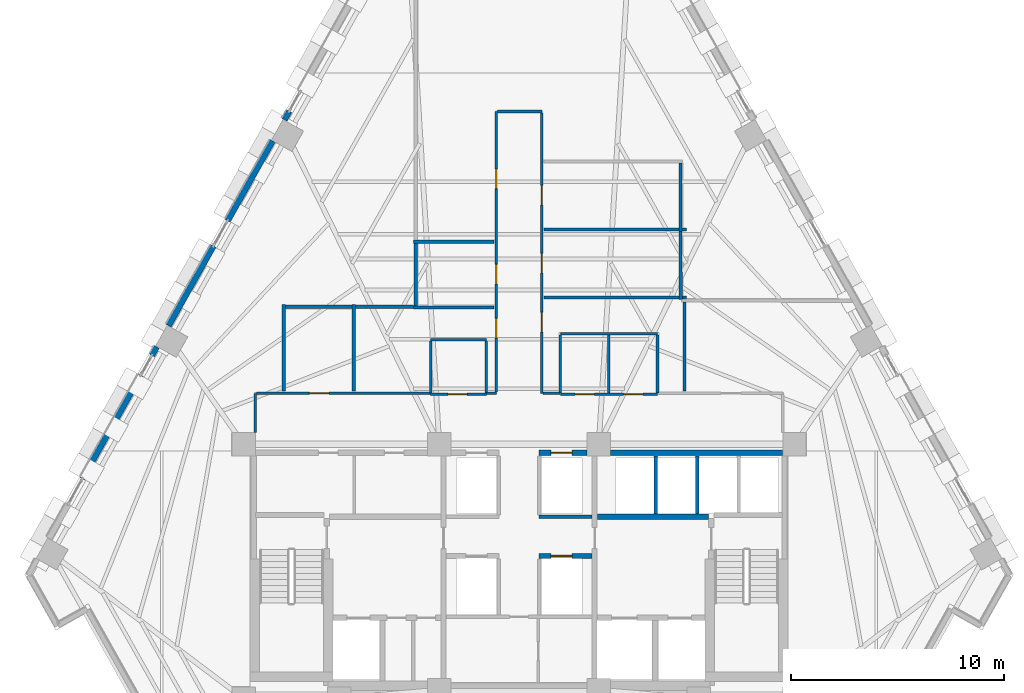
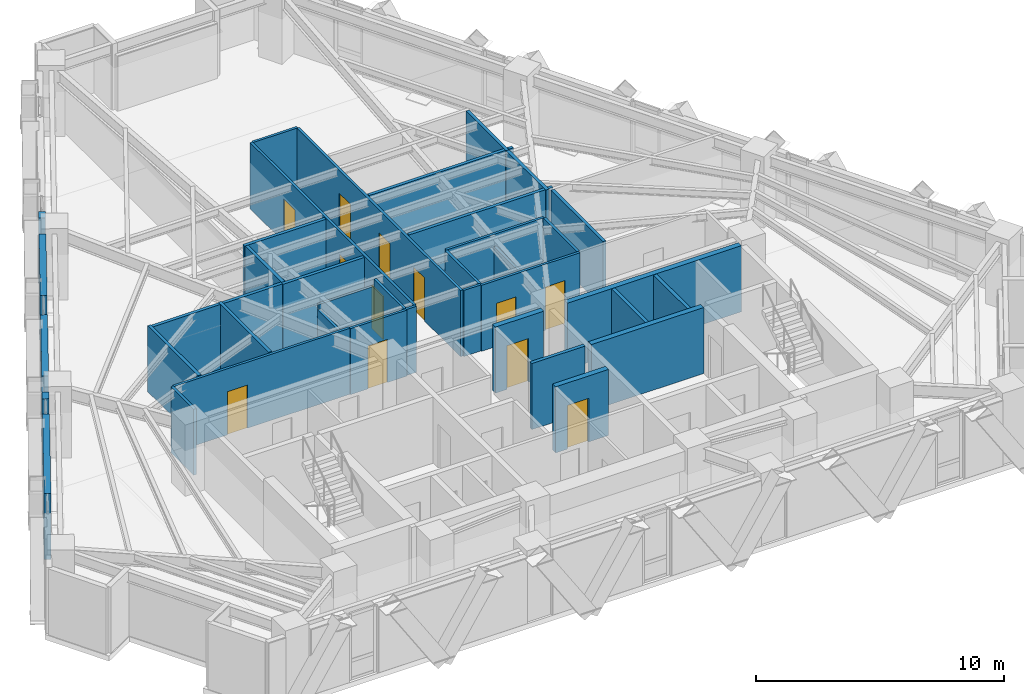
# One storey, part 8 of 13: 42 walls, 12 doors, 12 openings.
"""IFC4 building model written with IfcOpenShell, lengths in metres."""

from ifc_helpers import new_model, si_unit, direction, frame, frame_2d, origin, place, context, subcontext, project, spatial, rectangle, extrude, material, layer, layer_set, type_object, element, fill, save


model = new_model("IFC4")

# Units and contexts
model_context = context("Model", 3, precision=1e-05, world=origin(), true_north=direction((0.0, 1.0)))
body_context = subcontext(model_context, "Body", "Model", "MODEL_VIEW")
ifc_project = project(units=[si_unit("LENGTHUNIT", "METRE"), si_unit("AREAUNIT", "SQUARE_METRE"), si_unit("VOLUMEUNIT", "CUBIC_METRE"), si_unit("PLANEANGLEUNIT", "RADIAN"), si_unit("MASSUNIT", "GRAM", prefix="KILO")], contexts=[model_context])

# Site, building, storey
site_placement = place(None, origin())
site = spatial("IfcSite", under=ifc_project, at=site_placement, CompositionType="ELEMENT")
building_placement = place(site_placement, origin())
building = spatial("IfcBuilding", under=site, at=building_placement, Name="Quenlor Broadcast Tower", CompositionType="ELEMENT")
storey_placement = place(building_placement, frame((0.0, 0.0, 109.0)))
storey = spatial("IfcBuildingStorey", under=building, at=storey_placement, Name="L29", CompositionType="ELEMENT", Elevation=109.0)

# Walls
ifc_material_1 = material(Name="Acoustic Double Stud Gypsum Partition", Category="other")
ifc_layer_1 = layer(ifc_material_1, 0.14990234375)
ifc_layer_set_1 = layer_set([ifc_layer_1], Name="Broadcast Studio Acoustic Partition 150")
wall_type_1 = type_object("IfcWallType", Name="Broadcast Studio Acoustic Partition 150", PredefinedType="PARTITIONING", material=ifc_layer_set_1)
wall_1_placement = place(storey_placement, frame((7.58984375, 5.199951171875, 0.0), z_axis=(0.0, 0.0, 1.0), x_axis=(0.001136190753, 0.999999354535, 0.0)))
element("IfcWall", 1, at=wall_1_placement, inside=storey, type_object=wall_type_1, Name="L29 Interior Wall PW-DV-02", PredefinedType="PARTITIONING", context=body_context, shape_type="SweptSolid", body=[
    extrude(rectangle(XDim=3.22314453125, YDim=0.14990234375, at=frame_2d((1.611572265625, 0.0))), origin(), (0.0, 0.0, 1.0), 3.25),
])
wall_2_placement = place(storey_placement, frame((7.60498046875, 2.0, 0.0), z_axis=(0.0, 0.0, 1.0), x_axis=(-0.004427775513, 0.999990197354, 0.0)))
element("IfcWall", 2, at=wall_2_placement, inside=storey, type_object=wall_type_1, Name="L29 Interior Wall PW-DV-03", PredefinedType="PARTITIONING", context=body_context, shape_type="SweptSolid", body=[
    extrude(rectangle(XDim=3.197998046875, YDim=0.14990234375, at=frame_2d((1.59912109375, 0.0))), origin(), (0.0, 0.0, 1.0), 3.25),
])
wall_3_placement = place(storey_placement, frame((-1.179931640625, 4.72998046875, 0.0), z_axis=(0.0, 0.0, 1.0), x_axis=(-1.0, 0.0, 0.0)))
element("IfcWall", 3, at=wall_3_placement, inside=storey, type_object=wall_type_1, Name="L29 Interior Wall PW-DV-04", PredefinedType="PARTITIONING", context=body_context, shape_type="SweptSolid", body=[
    extrude(rectangle(XDim=3.780029296875, YDim=0.14990234375, at=frame_2d((1.89013671875, 0.0))), origin(), (0.0, 0.0, 1.0), 3.25),
])
wall_4_placement = place(storey_placement, frame((7.8798828125, 5.300048828125, 0.0), z_axis=(0.0, 0.0, 1.0), x_axis=(-1.0, 0.0, 0.0)))
element("IfcWall", 4, at=wall_4_placement, inside=storey, type_object=wall_type_1, Name="L29 Interior Wall PW-DV-07", PredefinedType="PARTITIONING", context=body_context, shape_type="SweptSolid", body=[
    extrude(rectangle(XDim=0.212890625, YDim=0.14990234375, at=frame_2d((0.1064453125, 0.0))), origin(), (0.0, 0.0, 1.0), 3.25),
])
wall_5_placement = place(storey_placement, frame((7.512939453125, 5.300048828125, 0.0), z_axis=(0.0, 0.0, 1.0), x_axis=(-1.0, 0.0, 0.0)))
element("IfcWall", 5, at=wall_5_placement, inside=storey, type_object=wall_type_1, Name="L29 Interior Wall PW-DV-07S2", PredefinedType="PARTITIONING", context=body_context, shape_type="SweptSolid", body=[
    extrude(rectangle(XDim=6.3330078125, YDim=0.14990234375, at=frame_2d((3.16650390625, 0.0))), origin(), (0.0, 0.0, 1.0), 3.25),
])
wall_6_placement = place(storey_placement, frame((7.8798828125, 2.10009765625, 0.0), z_axis=(0.0, 0.0, 1.0), x_axis=(-1.0, 0.0, 0.0)))
element("IfcWall", 6, at=wall_6_placement, inside=storey, type_object=wall_type_1, Name="L29 Interior Wall PW-DV-08", PredefinedType="PARTITIONING", context=body_context, shape_type="SweptSolid", body=[
    extrude(rectangle(XDim=0.1982421875, YDim=0.14990234375, at=frame_2d((0.09912109375, 0.0))), origin(), (0.0, 0.0, 1.0), 3.25),
])
wall_7_placement = place(storey_placement, frame((7.527587890625, 2.10009765625, 0.0), z_axis=(0.0, 0.0, 1.0), x_axis=(-1.0, 0.0, 0.0)))
element("IfcWall", 7, at=wall_7_placement, inside=storey, type_object=wall_type_1, Name="L29 Interior Wall PW-DV-08S2", PredefinedType="PARTITIONING", context=body_context, shape_type="SweptSolid", body=[
    extrude(rectangle(XDim=6.34765625, YDim=0.14990234375, at=frame_2d((3.173828125, 0.0))), origin(), (0.0, 0.0, 1.0), 3.25),
])
wall_8_placement = place(storey_placement, frame((-1.179931640625, 1.6298828125, 0.0), z_axis=(0.0, 0.0, 1.0), x_axis=(-1.0, 0.0, 0.0)))
element("IfcWall", 8, at=wall_8_placement, inside=storey, type_object=wall_type_1, Name="L29 Interior Wall PW-DV-09", PredefinedType="PARTITIONING", context=body_context, shape_type="SweptSolid", body=[
    extrude(rectangle(XDim=3.780029296875, YDim=0.14990234375, at=frame_2d((1.89013671875, 0.0))), origin(), (0.0, 0.0, 1.0), 3.25),
])
wall_9_placement = place(storey_placement, frame((-4.860107421875, 1.70703125, 0.0), z_axis=(0.0, 0.0, 1.0), x_axis=(0.0, 1.0, 0.0)))
element("IfcWall", 9, at=wall_9_placement, inside=storey, type_object=wall_type_1, Name="L29 Interior Wall PW-DV-10", PredefinedType="PARTITIONING", context=body_context, shape_type="SweptSolid", body=[
    extrude(rectangle(XDim=2.946044921875, YDim=0.14990234375, at=frame_2d((1.47314453125, 0.0))), origin(), (0.0, 0.0, 1.0), 3.25),
])
wall_10_placement = place(storey_placement, frame((7.780029296875, 1.887451171875, 0.0), z_axis=(0.0, 0.0, 1.0), x_axis=(0.0, -1.0, 0.0)))
element("IfcWall", 10, at=wall_10_placement, inside=storey, type_object=wall_type_1, Name="L29 Interior Wall PW-DV-11", PredefinedType="PARTITIONING", context=body_context, shape_type="SweptSolid", body=[
    extrude(rectangle(XDim=4.177490234375, YDim=0.14990234375, at=frame_2d((2.0888671875, 0.0))), origin(), (0.0, 0.0, 1.0), 3.25),
])
wall_11_placement = place(storey_placement, frame((-7.774658203125, -2.2900390625, 0.0), z_axis=(0.0, 0.0, 1.0), x_axis=(0.0, 1.0, 0.0)))
element("IfcWall", 11, at=wall_11_placement, inside=storey, type_object=wall_type_1, Name="L29 Interior Wall PW-DV-12", PredefinedType="PARTITIONING", context=body_context, shape_type="SweptSolid", body=[
    extrude(rectangle(XDim=4.06005859375, YDim=0.14990234375, at=frame_2d((2.030029296875, 0.0))), origin(), (0.0, 0.0, 1.0), 3.25),
])
wall_12_placement = place(storey_placement, frame((-7.69775390625, 1.669921875, 0.0), z_axis=(0.0, 0.0, 1.0), x_axis=(1.0, 0.0, 0.0)))
element("IfcWall", 12, at=wall_12_placement, inside=storey, type_object=wall_type_1, Name="L29 Interior Wall PW-DV-13", PredefinedType="PARTITIONING", context=body_context, shape_type="SweptSolid", body=[
    extrude(rectangle(XDim=2.73583984375, YDim=0.14990234375, at=frame_2d((1.367919921875, 0.0))), origin(), (0.0, 0.0, 1.0), 3.25),
])
wall_13_placement = place(storey_placement, frame((-11.06005859375, -2.2900390625, 0.0), z_axis=(0.0, 0.0, 1.0), x_axis=(0.0, 1.0, 0.0)))
element("IfcWall", 13, at=wall_13_placement, inside=storey, type_object=wall_type_1, Name="L29 Interior Wall PW-DV-14", PredefinedType="PARTITIONING", context=body_context, shape_type="SweptSolid", body=[
    extrude(rectangle(XDim=4.06005859375, YDim=0.14990234375, at=frame_2d((2.030029296875, 0.0))), origin(), (0.0, 0.0, 1.0), 3.25),
])
wall_14_placement = place(storey_placement, frame((-10.98291015625, 1.669921875, 0.0), z_axis=(0.0, 0.0, 1.0), x_axis=(1.0, 0.0, 0.0)))
element("IfcWall", 14, at=wall_14_placement, inside=storey, type_object=wall_type_1, Name="L29 Interior Wall PW-DV-15", PredefinedType="PARTITIONING", context=body_context, shape_type="SweptSolid", body=[
    extrude(rectangle(XDim=3.131103515625, YDim=0.14990234375, at=frame_2d((1.5654296875, 0.0))), origin(), (0.0, 0.0, 1.0), 3.25),
])
ifc_material_2 = material(Name="Concrete C40/50", Category="concrete")
ifc_layer_2 = layer(ifc_material_2, 0.25)
ifc_layer_set_2 = layer_set([ifc_layer_2], Name="Fire Rated Concrete C40/50 Core Wall 250")
wall_type_2 = type_object("IfcWallType", Name="Fire Rated Concrete C40/50 Core Wall 250", PredefinedType="PARTITIONING", material=ifc_layer_set_2)
wall_15_placement = place(storey_placement, frame((3.679931640625, -8.199951171875, 0.0), z_axis=(0.0, 0.0, 1.0), x_axis=(1.0, 0.0, 0.0)))
element("IfcWall", 15, at=wall_15_placement, inside=storey, type_object=wall_type_2, Name="L29 Interior Wall CW-FFE-N", PredefinedType="PARTITIONING", context=body_context, shape_type="SweptSolid", body=[
    extrude(rectangle(XDim=5.239990234375, YDim=0.25, at=frame_2d((2.6201171875, 0.0))), origin(), (0.0, 0.0, 1.0), 3.25),
])
wall_16_placement = place(storey_placement, frame((4.302001953125, -5.199951171875, 0.0), z_axis=(0.0, 0.0, 1.0), x_axis=(1.0, 0.0, 0.0)))
element("IfcWall", 16, at=wall_16_placement, inside=storey, type_object=wall_type_2, Name="L29 Interior Wall CW-N-E", PredefinedType="PARTITIONING", context=body_context, shape_type="SweptSolid", body=[
    extrude(rectangle(XDim=8.095947265625, YDim=0.25, at=frame_2d((4.0478515625, 0.0))), origin(), (0.0, 0.0, 1.0), 3.25),
])

# Wall, opening, door
wall_17_placement = place(storey_placement, frame((0.949951171875, -5.199951171875, 0.0), z_axis=(0.0, 0.0, 1.0), x_axis=(1.0, 0.0, 0.0)))
wall_17 = element("IfcWall", 17, at=wall_17_placement, inside=storey, type_object=wall_type_2, Name="L29 Interior Wall CW-N-M2", PredefinedType="PARTITIONING", context=body_context, shape_type="SweptSolid", body=[
    extrude(rectangle(XDim=2.248046875, YDim=0.25, at=frame_2d((1.1240234375, 0.0))), origin(), (0.0, 0.0, 1.0), 3.25),
])
opening_1_placement = place(wall_17_placement, frame((0.550048828125, 0.0, 0.0)))
opening_1 = element("IfcOpeningElement", 18, at=opening_1_placement, cuts=wall_17, Name="Opening LD-PL-M2", PredefinedType="OPENING", context=body_context, shape_type="SweptSolid", body=[
    extrude(rectangle(XDim=1.0, YDim=2.14990234375, at=frame_2d((0.5, 1.074951171875))), frame((0.0, 0.135009765625, 0.0), z_axis=(0.0, -1.0, 0.0), x_axis=(1.0, 0.0, 0.0)), (0.0, 0.0, 1.0), 0.27001953125),
])
ifc_material_3 = material(Name="Brushed Stainless Steel", Category="steel")
door_type_1 = type_object("IfcDoorType", Name="Passenger Lift Sliding Landing Door 1000x2150", OperationType="NOTDEFINED", PredefinedType="DOOR", material=ifc_material_3)
door_1_placement = place(opening_1_placement, origin())
door_1 = element("IfcDoor", 19, at=door_1_placement, inside=storey, type_object=door_type_1, Name="L29 Door LD-PL-M2", OperationType="SLIDING_TO_RIGHT", OverallHeight=2.14990234375, OverallWidth=1.0, PredefinedType="DOOR", context=body_context, shape_type="SweptSolid", body=[
    extrude(rectangle(XDim=1.0, YDim=2.14990234375, at=frame_2d((0.5, 1.074951171875))), frame((0.0, 0.02490234375, 0.0), z_axis=(0.0, -1.0, 0.0), x_axis=(1.0, 0.0, 0.0)), (0.0, 0.0, 1.0), 0.050048828125),
])
fill(opening_1, door_1)

wall_18_placement = place(storey_placement, frame((0.949951171875, -10.050048828125, 0.0), z_axis=(0.0, 0.0, 1.0), x_axis=(1.0, 0.0, 0.0)))
wall_18 = element("IfcWall", 20, at=wall_18_placement, inside=storey, type_object=wall_type_2, Name="L29 Interior Wall CW-MS-N2", PredefinedType="PARTITIONING", context=body_context, shape_type="SweptSolid", body=[
    extrude(rectangle(XDim=2.469970703125, YDim=0.25, at=frame_2d((1.23486328125, 0.0))), origin(), (0.0, 0.0, 1.0), 3.25),
])
opening_2_placement = place(wall_18_placement, frame((0.550048828125, 0.0, 0.0)))
opening_2 = element("IfcOpeningElement", 21, at=opening_2_placement, cuts=wall_18, Name="Opening LD-PL-M4", PredefinedType="OPENING", context=body_context, shape_type="SweptSolid", body=[
    extrude(rectangle(XDim=1.0, YDim=2.14990234375, at=frame_2d((0.5, 1.074951171875))), frame((0.0, 0.135009765625, 0.0), z_axis=(0.0, -1.0, 0.0), x_axis=(1.0, 0.0, 0.0)), (0.0, 0.0, 1.0), 0.27001953125),
])
door_2_placement = place(opening_2_placement, origin())
door_2 = element("IfcDoor", 22, at=door_2_placement, inside=storey, type_object=door_type_1, Name="L29 Door LD-PL-M4", OperationType="SLIDING_TO_RIGHT", OverallHeight=2.14990234375, OverallWidth=1.0, PredefinedType="DOOR", context=body_context, shape_type="SweptSolid", body=[
    extrude(rectangle(XDim=1.0, YDim=2.14990234375, at=frame_2d((0.5, 1.074951171875))), frame((0.0, 0.02490234375, 0.0), z_axis=(0.0, -1.0, 0.0), x_axis=(1.0, 0.0, 0.0)), (0.0, 0.0, 1.0), 0.050048828125),
])
fill(opening_2, door_2)

# Walls
ifc_material_4 = material(Name="Gypsum Fireboard Partition", Category="other")
ifc_layer_3 = layer(ifc_material_4, 0.159912109375)
ifc_layer_set_3 = layer_set([ifc_layer_3], Name="Fire Rated Shaft and Corridor Partition 160")
wall_type_3 = type_object("IfcWallType", Name="Fire Rated Shaft and Corridor Partition 160", PredefinedType="PARTITIONING", material=ifc_layer_set_3)
for number, where, z_axis, x_axis, name in (
    (23, (6.425048828125, -8.072998046875, 0.0), (0.0, 0.0, 1.0), (0.0, 1.0, 0.0), "L29 Interior Wall CW-PLH-D1"),
    (24, (8.375, -8.072998046875, 0.0), (0.0, 0.0, 1.0), (0.0, 1.0, 0.0), "L29 Interior Wall CW-PLH-D2"),
):
    element("IfcWall", number, at=place(storey_placement, frame(where, z_axis=z_axis, x_axis=x_axis)), inside=storey, type_object=wall_type_3, Name=name, PredefinedType="PARTITIONING", context=body_context, shape_type="SweptSolid", body=[
        extrude(rectangle(XDim=2.73291015625, YDim=0.159912109375, at=frame_2d((1.366455078125, 0.0))), origin(), (0.0, 0.0, 1.0), 3.25),
    ])
wall_19_placement = place(storey_placement, frame((0.949951171875, -8.199951171875, 0.0), z_axis=(0.0, 0.0, 1.0), x_axis=(1.0, 0.0, 0.0)))
element("IfcWall", 25, at=wall_19_placement, inside=storey, type_object=wall_type_3, Name="L29 Interior Wall CW-M-BACK2", PredefinedType="PARTITIONING", context=body_context, shape_type="SweptSolid", body=[
    extrude(rectangle(XDim=2.469970703125, YDim=0.159912109375, at=frame_2d((1.23486328125, 0.0))), origin(), (0.0, 0.0, 1.0), 3.25),
])

# Wall, opening, door
ifc_material_5 = material(Name="Gypsum Plasterboard Partition", Category="other")
ifc_layer_4 = layer(ifc_material_5, 0.1201171875)
ifc_layer_set_4 = layer_set([ifc_layer_4], Name="Standard Office Partition 120")
wall_type_4 = type_object("IfcWallType", Name="Standard Office Partition 120", PredefinedType="PARTITIONING", material=ifc_layer_set_4)
wall_20_placement = place(storey_placement, frame((-4.159912109375, -2.43994140625, 0.0), z_axis=(0.0, 0.0, 1.0), x_axis=(1.0, 0.0, 0.0)))
wall_20 = element("IfcWall", 26, at=wall_20_placement, inside=storey, type_object=wall_type_4, Name="L29 Interior Wall PW-AWC-S", PredefinedType="PARTITIONING", context=body_context, shape_type="SweptSolid", body=[
    extrude(rectangle(XDim=2.619873046875, YDim=0.1201171875, at=frame_2d((1.31005859375, 0.0))), origin(), (0.0, 0.0, 1.0), 3.25),
])
opening_3_placement = place(wall_20_placement, frame((0.820068359375, 0.0, 0.0)))
opening_3 = element("IfcOpeningElement", 27, at=opening_3_placement, cuts=wall_20, Name="Opening ID-3", PredefinedType="OPENING", context=body_context, shape_type="SweptSolid", body=[
    extrude(rectangle(XDim=0.89990234375, YDim=2.1201171875, at=frame_2d((0.449951171875, 1.06005859375))), frame((0.0, 0.070068359375, 0.0), z_axis=(0.0, -1.0, 0.0), x_axis=(1.0, 0.0, 0.0)), (0.0, 0.0, 1.0), 0.14013671875),
])
ifc_material_6 = material(Name="Moisture Resistant Timber Oak", Category="wood")
door_type_2 = type_object("IfcDoorType", Name="Washroom Privacy Door 900x2120", OperationType="NOTDEFINED", PredefinedType="DOOR", material=ifc_material_6)
door_3_placement = place(opening_3_placement, origin())
door_3 = element("IfcDoor", 28, at=door_3_placement, inside=storey, type_object=door_type_2, Name="L29 Door DR-AWC", OperationType="SINGLE_SWING_LEFT", OverallHeight=2.1201171875, OverallWidth=0.89990234375, PredefinedType="DOOR", context=body_context, shape_type="SweptSolid", body=[
    extrude(rectangle(XDim=0.89990234375, YDim=2.1201171875, at=frame_2d((0.449951171875, 1.06005859375))), frame((0.0, 0.02490234375, 0.0), z_axis=(0.0, -1.0, 0.0), x_axis=(1.0, 0.0, 0.0)), (0.0, 0.0, 1.0), 0.050048828125),
])
fill(opening_3, door_3)

# Walls
wall_21_placement = place(storey_placement, frame((-4.159912109375, 0.110107421875, 0.0), z_axis=(0.0, 0.0, 1.0), x_axis=(1.0, 0.0, 0.0)))
element("IfcWall", 29, at=wall_21_placement, inside=storey, type_object=wall_type_4, Name="L29 Interior Wall PW-AWC-N", PredefinedType="PARTITIONING", context=body_context, shape_type="SweptSolid", body=[
    extrude(rectangle(XDim=2.619873046875, YDim=0.1201171875, at=frame_2d((1.31005859375, 0.0))), origin(), (0.0, 0.0, 1.0), 2.891357421875),
])
wall_22_placement = place(storey_placement, frame((-4.159912109375, -2.3779296875, 0.0), z_axis=(0.0, 0.0, 1.0), x_axis=(0.0, 1.0, 0.0)))
element("IfcWall", 30, at=wall_22_placement, inside=storey, type_object=wall_type_4, Name="L29 Interior Wall PW-AWC-W", PredefinedType="PARTITIONING", context=body_context, shape_type="SweptSolid", body=[
    extrude(rectangle(XDim=2.426025390625, YDim=0.1201171875, at=frame_2d((1.212890625, 0.0))), origin(), (0.0, 0.0, 1.0), 2.64794921875),
])
wall_23_placement = place(storey_placement, frame((-1.5400390625, -2.3779296875, 0.0), z_axis=(0.0, 0.0, 1.0), x_axis=(0.0, 1.0, 0.0)))
element("IfcWall", 31, at=wall_23_placement, inside=storey, type_object=wall_type_4, Name="L29 Interior Wall PW-AWC-E", PredefinedType="PARTITIONING", context=body_context, shape_type="SweptSolid", body=[
    extrude(rectangle(XDim=2.426025390625, YDim=0.1201171875, at=frame_2d((1.212890625, 0.0))), origin(), (0.0, 0.0, 1.0), 3.25),
])

# Wall, openings, doors
wall_24_placement = place(storey_placement, frame((1.93994140625, -2.43994140625, 0.0), z_axis=(0.0, 0.0, 1.0), x_axis=(1.0, 0.0, 0.0)))
wall_24 = element("IfcWall", 32, at=wall_24_placement, inside=storey, type_object=wall_type_4, Name="L29 Interior Wall PW-WC-S", PredefinedType="PARTITIONING", context=body_context, shape_type="SweptSolid", body=[
    extrude(rectangle(XDim=4.570068359375, YDim=0.1201171875, at=frame_2d((2.28515625, 0.0))), origin(), (0.0, 0.0, 1.0), 3.25),
])
opening_4_placement = place(wall_24_placement, frame((0.699951171875, 0.0, 0.0)))
opening_4 = element("IfcOpeningElement", 33, at=opening_4_placement, cuts=wall_24, Name="Opening ID-3", PredefinedType="OPENING", context=body_context, shape_type="SweptSolid", body=[
    extrude(rectangle(XDim=0.89990234375, YDim=2.1201171875, at=frame_2d((0.449951171875, 1.06005859375))), frame((0.0, 0.070068359375, 0.0), z_axis=(0.0, -1.0, 0.0), x_axis=(1.0, 0.0, 0.0)), (0.0, 0.0, 1.0), 0.14013671875),
])
opening_5_placement = place(wall_24_placement, frame((2.97998046875, 0.0, 0.0)))
opening_5 = element("IfcOpeningElement", 34, at=opening_5_placement, cuts=wall_24, Name="Opening ID-3", PredefinedType="OPENING", context=body_context, shape_type="SweptSolid", body=[
    extrude(rectangle(XDim=0.89990234375, YDim=2.1201171875, at=frame_2d((0.449951171875, 1.06005859375))), frame((0.0, 0.070068359375, 0.0), z_axis=(0.0, -1.0, 0.0), x_axis=(1.0, 0.0, 0.0)), (0.0, 0.0, 1.0), 0.14013671875),
])
door_4_placement = place(opening_4_placement, origin())
door_4 = element("IfcDoor", 35, at=door_4_placement, inside=storey, type_object=door_type_2, Name="L29 Door DR-MWC", OperationType="SINGLE_SWING_LEFT", OverallHeight=2.1201171875, OverallWidth=0.89990234375, PredefinedType="DOOR", context=body_context, shape_type="SweptSolid", body=[
    extrude(rectangle(XDim=0.89990234375, YDim=2.1201171875, at=frame_2d((0.449951171875, 1.06005859375))), frame((0.0, 0.02490234375, 0.0), z_axis=(0.0, -1.0, 0.0), x_axis=(1.0, 0.0, 0.0)), (0.0, 0.0, 1.0), 0.050048828125),
])
fill(opening_4, door_4)
door_5_placement = place(opening_5_placement, origin())
door_5 = element("IfcDoor", 36, at=door_5_placement, inside=storey, type_object=door_type_2, Name="L29 Door DR-FWC", OperationType="SINGLE_SWING_RIGHT", OverallHeight=2.1201171875, OverallWidth=0.89990234375, PredefinedType="DOOR", context=body_context, shape_type="SweptSolid", body=[
    extrude(rectangle(XDim=0.89990234375, YDim=2.1201171875, at=frame_2d((0.449951171875, 1.06005859375))), frame((0.0, 0.02490234375, 0.0), z_axis=(0.0, -1.0, 0.0), x_axis=(1.0, 0.0, 0.0)), (0.0, 0.0, 1.0), 0.050048828125),
])
fill(opening_5, door_5)

# Walls
wall_25_placement = place(storey_placement, frame((1.93994140625, 0.409912109375, 0.0), z_axis=(0.0, 0.0, 1.0), x_axis=(1.0, 0.0, 0.0)))
element("IfcWall", 37, at=wall_25_placement, inside=storey, type_object=wall_type_4, Name="L29 Interior Wall PW-WC-N", PredefinedType="PARTITIONING", context=body_context, shape_type="SweptSolid", body=[
    extrude(rectangle(XDim=4.570068359375, YDim=0.1201171875, at=frame_2d((2.28515625, 0.0))), origin(), (0.0, 0.0, 1.0), 3.25),
])
wall_26_placement = place(storey_placement, frame((1.93994140625, -2.3779296875, 0.0), z_axis=(0.0, 0.0, 1.0), x_axis=(0.0, 1.0, 0.0)))
element("IfcWall", 38, at=wall_26_placement, inside=storey, type_object=wall_type_4, Name="L29 Interior Wall PW-WC-W", PredefinedType="PARTITIONING", context=body_context, shape_type="SweptSolid", body=[
    extrude(rectangle(XDim=2.725830078125, YDim=0.1201171875, at=frame_2d((1.36279296875, 0.0))), origin(), (0.0, 0.0, 1.0), 3.25),
])
wall_27_placement = place(storey_placement, frame((4.219970703125, -2.3779296875, 0.0), z_axis=(0.0, 0.0, 1.0), x_axis=(0.0, 1.0, 0.0)))
element("IfcWall", 39, at=wall_27_placement, inside=storey, type_object=wall_type_4, Name="L29 Interior Wall PW-WC-M", PredefinedType="PARTITIONING", context=body_context, shape_type="SweptSolid", body=[
    extrude(rectangle(XDim=2.725830078125, YDim=0.1201171875, at=frame_2d((1.36279296875, 0.0))), origin(), (0.0, 0.0, 1.0), 2.64794921875),
])
wall_28_placement = place(storey_placement, frame((6.510009765625, -2.3779296875, 0.0), z_axis=(0.0, 0.0, 1.0), x_axis=(0.0, 1.0, 0.0)))
element("IfcWall", 40, at=wall_28_placement, inside=storey, type_object=wall_type_4, Name="L29 Interior Wall PW-WC-E", PredefinedType="PARTITIONING", context=body_context, shape_type="SweptSolid", body=[
    extrude(rectangle(XDim=2.725830078125, YDim=0.1201171875, at=frame_2d((1.36279296875, 0.0))), origin(), (0.0, 0.0, 1.0), 3.25),
])
wall_29_placement = place(storey_placement, frame((-12.409912109375, -4.248046875, 0.0), z_axis=(0.0, 0.0, 1.0), x_axis=(0.0, 1.0, 0.0)))
element("IfcWall", 41, at=wall_29_placement, inside=storey, type_object=wall_type_4, Name="L29 Interior Wall PW-CR-01", PredefinedType="PARTITIONING", context=body_context, shape_type="SweptSolid", body=[
    extrude(rectangle(XDim=1.84814453125, YDim=0.1201171875, at=frame_2d((0.924072265625, 0.0))), origin(), (0.0, 0.0, 1.0), 3.25),
])

# Wall, opening, door
wall_30_placement = place(storey_placement, frame((-12.347900390625, -2.39990234375, 0.0), z_axis=(0.0, 0.0, 1.0), x_axis=(1.0, 0.0, 0.0)))
wall_30 = element("IfcWall", 42, at=wall_30_placement, inside=storey, type_object=wall_type_4, Name="L29 Interior Wall PW-CR-02", PredefinedType="PARTITIONING", context=body_context, shape_type="SweptSolid", body=[
    extrude(rectangle(XDim=8.185791015625, YDim=0.1201171875, at=frame_2d((4.0927734375, 0.0))), origin(), (0.0, 0.0, 1.0), 3.25),
])
opening_6_placement = place(wall_30_placement, frame((2.490966796875, 0.0, 0.0)))
opening_6 = element("IfcOpeningElement", 43, at=opening_6_placement, cuts=wall_30, Name="Opening ID-1", PredefinedType="OPENING", context=body_context, shape_type="SweptSolid", body=[
    extrude(rectangle(XDim=0.919921875, YDim=2.1201171875, at=frame_2d((0.4599609375, 1.06005859375))), frame((0.0, 0.070068359375, 0.0), z_axis=(0.0, -1.0, 0.0), x_axis=(1.0, 0.0, 0.0)), (0.0, 0.0, 1.0), 0.14013671875),
])
ifc_material_7 = material(Name="Solid Core Timber Oak", Category="wood")
door_type_3 = type_object("IfcDoorType", Name="Single Leaf Timber Office Door 920x2120", OperationType="NOTDEFINED", PredefinedType="DOOR", material=ifc_material_7)
door_6_placement = place(opening_6_placement, origin())
door_6 = element("IfcDoor", 44, at=door_6_placement, inside=storey, type_object=door_type_3, Name="L29 Door DR-RM07", OperationType="SINGLE_SWING_RIGHT", OverallHeight=2.1201171875, OverallWidth=0.919921875, PredefinedType="DOOR", context=body_context, shape_type="SweptSolid", body=[
    extrude(rectangle(XDim=0.919921875, YDim=2.1201171875, at=frame_2d((0.4599609375, 1.06005859375))), frame((0.0, 0.02490234375, 0.0), z_axis=(0.0, -1.0, 0.0), x_axis=(1.0, 0.0, 0.0)), (0.0, 0.0, 1.0), 0.050048828125),
])
fill(opening_6, door_6)

# Wall
wall_31_placement = place(storey_placement, frame((-1.5380859375, -2.39990234375, 0.0), z_axis=(0.0, 0.0, 1.0), x_axis=(1.0, 0.0, 0.0)))
element("IfcWall", 45, at=wall_31_placement, inside=storey, type_object=wall_type_4, Name="L29 Interior Wall PW-CR-02S2", PredefinedType="PARTITIONING", context=body_context, shape_type="SweptSolid", body=[
    extrude(rectangle(XDim=0.468017578125, YDim=0.1201171875, at=frame_2d((0.23388671875, 0.0))), origin(), (0.0, 0.0, 1.0), 3.25),
])

# Wall, openings, doors
wall_32_placement = place(storey_placement, frame((-1.070068359375, -2.337890625, 0.0), z_axis=(0.0, 0.0, 1.0), x_axis=(0.0, 1.0, 0.0)))
wall_32 = element("IfcWall", 46, at=wall_32_placement, inside=storey, type_object=wall_type_4, Name="L29 Interior Wall PW-CR-03", PredefinedType="PARTITIONING", context=body_context, shape_type="SweptSolid", body=[
    extrude(rectangle(XDim=13.18798828125, YDim=0.1201171875, at=frame_2d((6.593994140625, 0.0))), origin(), (0.0, 0.0, 1.0), 3.25),
])
opening_7_placement = place(wall_32_placement, frame((9.55908203125, 0.0, 0.0)))
opening_7 = element("IfcOpeningElement", 47, at=opening_7_placement, cuts=wall_32, Name="Opening ID-1", PredefinedType="OPENING", context=body_context, shape_type="SweptSolid", body=[
    extrude(rectangle(XDim=0.919921875, YDim=2.1201171875, at=frame_2d((0.4599609375, 1.06005859375))), frame((0.0, 0.070068359375, 0.0), z_axis=(0.0, -1.0, 0.0), x_axis=(1.0, 0.0, 0.0)), (0.0, 0.0, 1.0), 0.14013671875),
])
opening_8_placement = place(wall_32_placement, frame((5.077880859375, 0.0, 0.0)))
opening_8 = element("IfcOpeningElement", 48, at=opening_8_placement, cuts=wall_32, Name="Opening ID-1", PredefinedType="OPENING", context=body_context, shape_type="SweptSolid", body=[
    extrude(rectangle(XDim=0.919921875, YDim=2.1201171875, at=frame_2d((0.4599609375, 1.06005859375))), frame((0.0, 0.070068359375, 0.0), z_axis=(0.0, -1.0, 0.0), x_axis=(1.0, 0.0, 0.0)), (0.0, 0.0, 1.0), 0.14013671875),
])
opening_9_placement = place(wall_32_placement, frame((2.537109375, 0.0, 0.0)))
opening_9 = element("IfcOpeningElement", 49, at=opening_9_placement, cuts=wall_32, Name="Opening ID-1", PredefinedType="OPENING", context=body_context, shape_type="SweptSolid", body=[
    extrude(rectangle(XDim=0.919921875, YDim=2.1201171875, at=frame_2d((0.4599609375, 1.06005859375))), frame((0.0, 0.070068359375, 0.0), z_axis=(0.0, -1.0, 0.0), x_axis=(1.0, 0.0, 0.0)), (0.0, 0.0, 1.0), 0.14013671875),
])
door_7_placement = place(opening_7_placement, origin())
door_7 = element("IfcDoor", 50, at=door_7_placement, inside=storey, type_object=door_type_3, Name="L29 Door DR-RM01", OperationType="SINGLE_SWING_RIGHT", OverallHeight=2.1201171875, OverallWidth=0.919921875, PredefinedType="DOOR", context=body_context, shape_type="SweptSolid", body=[
    extrude(rectangle(XDim=0.919921875, YDim=2.1201171875, at=frame_2d((0.4599609375, 1.06005859375))), frame((0.0, 0.02490234375, 0.0), z_axis=(0.0, -1.0, 0.0), x_axis=(1.0, 0.0, 0.0)), (0.0, 0.0, 1.0), 0.050048828125),
])
fill(opening_7, door_7)
door_8_placement = place(opening_8_placement, origin())
door_8 = element("IfcDoor", 51, at=door_8_placement, inside=storey, type_object=door_type_3, Name="L29 Door DR-RM04", OperationType="SINGLE_SWING_LEFT", OverallHeight=2.1201171875, OverallWidth=0.919921875, PredefinedType="DOOR", context=body_context, shape_type="SweptSolid", body=[
    extrude(rectangle(XDim=0.919921875, YDim=2.1201171875, at=frame_2d((0.4599609375, 1.06005859375))), frame((0.0, 0.02490234375, 0.0), z_axis=(0.0, -1.0, 0.0), x_axis=(1.0, 0.0, 0.0)), (0.0, 0.0, 1.0), 0.050048828125),
])
fill(opening_8, door_8)
door_9_placement = place(opening_9_placement, origin())
door_9 = element("IfcDoor", 52, at=door_9_placement, inside=storey, type_object=door_type_3, Name="L29 Door DR-RM06", OperationType="SINGLE_SWING_LEFT", OverallHeight=2.1201171875, OverallWidth=0.919921875, PredefinedType="DOOR", context=body_context, shape_type="SweptSolid", body=[
    extrude(rectangle(XDim=0.919921875, YDim=2.1201171875, at=frame_2d((0.4599609375, 1.06005859375))), frame((0.0, 0.02490234375, 0.0), z_axis=(0.0, -1.0, 0.0), x_axis=(1.0, 0.0, 0.0)), (0.0, 0.0, 1.0), 0.050048828125),
])
fill(opening_9, door_9)

# Wall
wall_33_placement = place(storey_placement, frame((-1.008056640625, 10.85009765625, 0.0), z_axis=(0.0, 0.0, 1.0), x_axis=(1.0, 0.0, 0.0)))
element("IfcWall", 53, at=wall_33_placement, inside=storey, type_object=wall_type_4, Name="L29 Interior Wall PW-CR-04", PredefinedType="PARTITIONING", context=body_context, shape_type="SweptSolid", body=[
    extrude(rectangle(XDim=2.078125, YDim=0.1201171875, at=frame_2d((1.0390625, 0.0))), origin(), (0.0, 0.0, 1.0), 3.25),
])

# Wall, openings, doors
wall_34_placement = place(storey_placement, frame((1.070068359375, 10.7880859375, 0.0), z_axis=(0.0, 0.0, 1.0), x_axis=(0.0, -1.0, 0.0)))
wall_34 = element("IfcWall", 54, at=wall_34_placement, inside=storey, type_object=wall_type_4, Name="L29 Interior Wall PW-CR-05", PredefinedType="PARTITIONING", context=body_context, shape_type="SweptSolid", body=[
    extrude(rectangle(XDim=13.18798828125, YDim=0.1201171875, at=frame_2d((6.593994140625, 0.0))), origin(), (0.0, 0.0, 1.0), 3.25),
])
opening_10_placement = place(wall_34_placement, frame((3.407958984375, 0.0, 0.0)))
opening_10 = element("IfcOpeningElement", 55, at=opening_10_placement, cuts=wall_34, Name="Opening ID-1", PredefinedType="OPENING", context=body_context, shape_type="SweptSolid", body=[
    extrude(rectangle(XDim=0.919921875, YDim=2.1201171875, at=frame_2d((0.4599609375, 1.06005859375))), frame((0.0, 0.070068359375, 0.0), z_axis=(0.0, -1.0, 0.0), x_axis=(1.0, 0.0, 0.0)), (0.0, 0.0, 1.0), 0.14013671875),
])
opening_11_placement = place(wall_34_placement, frame((6.60791015625, 0.0, 0.0)))
opening_11 = element("IfcOpeningElement", 56, at=opening_11_placement, cuts=wall_34, Name="Opening ID-1", PredefinedType="OPENING", context=body_context, shape_type="SweptSolid", body=[
    extrude(rectangle(XDim=0.919921875, YDim=2.1201171875, at=frame_2d((0.4599609375, 1.06005859375))), frame((0.0, 0.070068359375, 0.0), z_axis=(0.0, -1.0, 0.0), x_axis=(1.0, 0.0, 0.0)), (0.0, 0.0, 1.0), 0.14013671875),
])
opening_12_placement = place(wall_34_placement, frame((9.388916015625, 0.0, 0.0)))
opening_12 = element("IfcOpeningElement", 57, at=opening_12_placement, cuts=wall_34, Name="Opening ID-1", PredefinedType="OPENING", context=body_context, shape_type="SweptSolid", body=[
    extrude(rectangle(XDim=0.919921875, YDim=2.1201171875, at=frame_2d((0.4599609375, 1.06005859375))), frame((0.0, 0.070068359375, 0.0), z_axis=(0.0, -1.0, 0.0), x_axis=(1.0, 0.0, 0.0)), (0.0, 0.0, 1.0), 0.14013671875),
])
door_10_placement = place(opening_10_placement, origin())
door_10 = element("IfcDoor", 58, at=door_10_placement, inside=storey, type_object=door_type_3, Name="L29 Door DR-RM02", OperationType="SINGLE_SWING_LEFT", OverallHeight=2.1201171875, OverallWidth=0.919921875, PredefinedType="DOOR", context=body_context, shape_type="SweptSolid", body=[
    extrude(rectangle(XDim=0.919921875, YDim=2.1201171875, at=frame_2d((0.4599609375, 1.06005859375))), frame((0.0, 0.02490234375, 0.0), z_axis=(0.0, -1.0, 0.0), x_axis=(1.0, 0.0, 0.0)), (0.0, 0.0, 1.0), 0.050048828125),
])
fill(opening_10, door_10)
door_11_placement = place(opening_11_placement, origin())
door_11 = element("IfcDoor", 59, at=door_11_placement, inside=storey, type_object=door_type_3, Name="L29 Door DR-RM03", OperationType="SINGLE_SWING_RIGHT", OverallHeight=2.1201171875, OverallWidth=0.919921875, PredefinedType="DOOR", context=body_context, shape_type="SweptSolid", body=[
    extrude(rectangle(XDim=0.919921875, YDim=2.1201171875, at=frame_2d((0.4599609375, 1.06005859375))), frame((0.0, 0.02490234375, 0.0), z_axis=(0.0, -1.0, 0.0), x_axis=(1.0, 0.0, 0.0)), (0.0, 0.0, 1.0), 0.050048828125),
])
fill(opening_11, door_11)
door_12_placement = place(opening_12_placement, origin())
door_12 = element("IfcDoor", 60, at=door_12_placement, inside=storey, type_object=door_type_3, Name="L29 Door DR-RM05", OperationType="SINGLE_SWING_LEFT", OverallHeight=2.1201171875, OverallWidth=0.919921875, PredefinedType="DOOR", context=body_context, shape_type="SweptSolid", body=[
    extrude(rectangle(XDim=0.919921875, YDim=2.1201171875, at=frame_2d((0.4599609375, 1.06005859375))), frame((0.0, 0.02490234375, 0.0), z_axis=(0.0, -1.0, 0.0), x_axis=(1.0, 0.0, 0.0)), (0.0, 0.0, 1.0), 0.050048828125),
])
fill(opening_12, door_12)

# Walls
wall_35_placement = place(storey_placement, frame((1.132080078125, -2.39990234375, 0.0), z_axis=(0.0, 0.0, 1.0), x_axis=(1.0, 0.0, 0.0)))
element("IfcWall", 61, at=wall_35_placement, inside=storey, type_object=wall_type_4, Name="L29 Interior Wall PW-CR-06", PredefinedType="PARTITIONING", context=body_context, shape_type="SweptSolid", body=[
    extrude(rectangle(XDim=0.805908203125, YDim=0.1201171875, at=frame_2d((0.40283203125, 0.0))), origin(), (0.0, 0.0, 1.0), 3.25),
])
ifc_material_8 = material(Name="Precast concrete C40/50", Category="concrete")
ifc_layer_5 = layer(ifc_material_8, 0.280029296875)
ifc_layer_set_5 = layer_set([ifc_layer_5], Name="Terracotta Precast Concrete C40/50 Facade Wall 280")
wall_type_5 = type_object("IfcWallType", Name="Terracotta Precast Concrete C40/50 Facade Wall 280", PredefinedType="STANDARD", material=ifc_layer_set_5)
wall_36_placement = place(storey_placement, frame((-20.527099609375, -6.419189453125, 0.0), z_axis=(0.0, 0.0, 1.0), x_axis=(0.490265381388, 0.871573207374, 0.0)))
element("IfcWall", 62, at=wall_36_placement, inside=storey, type_object=wall_type_5, Name="L29 Exterior Wall L29-NWA-SP2", PredefinedType="STANDARD", context=body_context, shape_type="SweptSolid", body=[
    extrude(rectangle(XDim=5.59716796875, YDim=0.280029296875, at=frame_2d((2.798583984375, 0.0))), origin(), (0.0, 0.0, 1.0), 3.25),
])
for number, where, z_axis, x_axis, name in (
    (63, (-17.264404296875, -0.618896484375, 0.0), (0.0, 0.0, 1.0), (0.490009165718, 0.871717280724, 0.0), "L29 Exterior Wall L29-NWA-SP3"),
    (64, (-11.031982421875, 10.461181640625, 0.0), (0.0, 0.0, 1.0), (0.490412424957, 0.871490478116, 0.0), "L29 Exterior Wall L29-NWC-SP1"),
):
    element("IfcWall", number, at=place(storey_placement, frame(where, z_axis=z_axis, x_axis=x_axis)), inside=storey, type_object=wall_type_5, Name=name, PredefinedType="STANDARD", context=body_context, shape_type="SweptSolid", body=[
        extrude(rectangle(XDim=0.4599609375, YDim=0.280029296875, at=frame_2d((0.22998046875, 0.0))), origin(), (0.0, 0.0, 1.0), 3.25),
    ])
for number, where, z_axis, x_axis, name in (
    (65, (-16.477783203125, 0.780029296875, 0.0), (0.0, 0.0, 1.0), (0.490293592365, 0.871557337922, 0.0), "L29 Exterior Wall L29-NW-SP1"),
    (66, (-13.701171875, 5.716064453125, 0.0), (0.0, 0.0, 1.0), (0.490293592365, 0.871557337922, 0.0), "L29 Exterior Wall L29-NW-SP2"),
):
    element("IfcWall", number, at=place(storey_placement, frame(where, z_axis=z_axis, x_axis=x_axis)), inside=storey, type_object=wall_type_5, Name=name, PredefinedType="STANDARD", context=body_context, shape_type="SweptSolid", body=[
        extrude(rectangle(XDim=4.29931640625, YDim=0.280029296875, at=frame_2d((2.149658203125, 0.0))), origin(), (0.0, 0.0, 1.0), 3.25),
    ])

save(model, "model.ifc")
